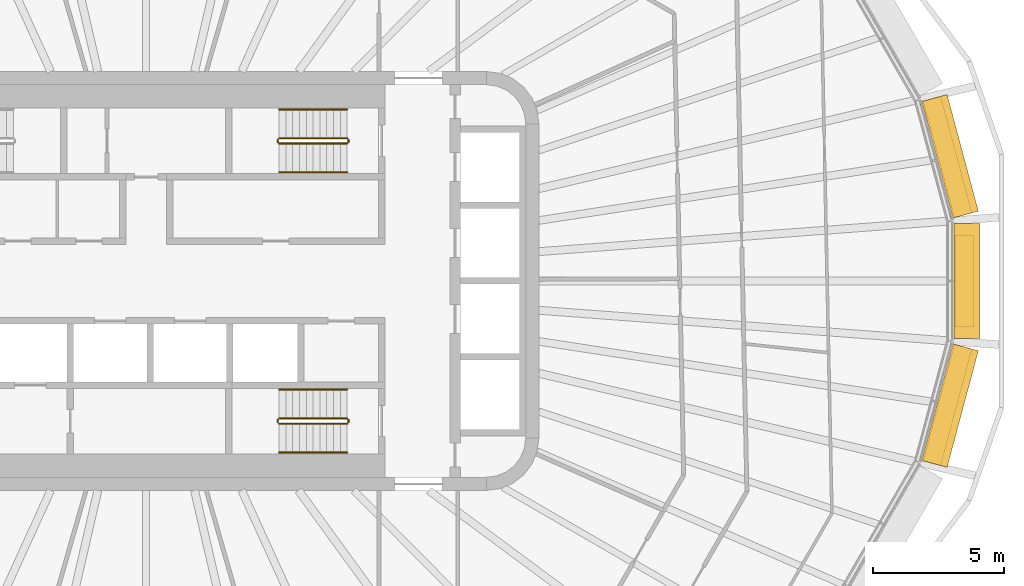
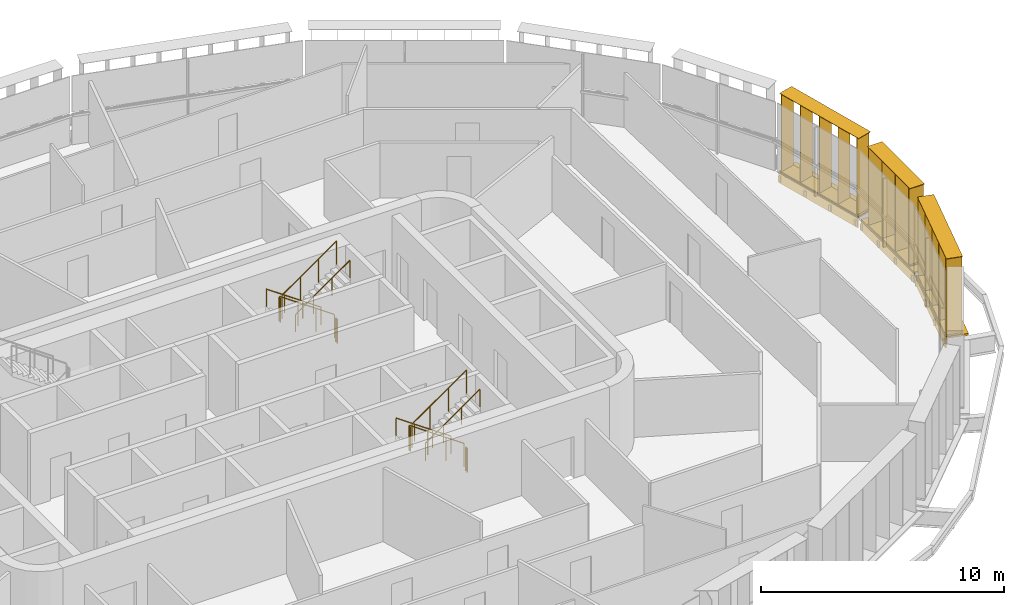
# One storey, part 20 of 21: 12 railings, 6 shading devices.
"""IFC4 building model written with IfcOpenShell, lengths in metres."""

import ifcopenshell
import ifcopenshell.guid

model = None  # the IFC model being written
_history = None  # IfcOwnerHistory: only IFC2X3 demands one
_inside = {}  # id of a spatial element -> (the spatial element, [elements in it])
_under = {}  # id of a project, library or spatial element -> (it, [spatial elements below it])
_declared = {}  # id of a project -> (the project, [libraries it declares])
_typed = {}  # id of a type object -> (the type object, [elements of that type])
_made_of = {}  # id of a material, layer set ... -> (it, [elements and type objects made of it])


def new_model(schema):
    """Start an empty IFC model of exactly this schema.

    Asked for "IFC4X3", IfcOpenShell would pick the latest addendum, in which some entities
    have other attributes; the version numbers below select the first issue.
    IFC2X3 requires an IfcOwnerHistory on every rooted entity: one is made here for all.
    """
    global model, _history
    if schema == "IFC4X3":
        model = ifcopenshell.file(schema_version=(4, 3, 0, 0))
    else:
        model = ifcopenshell.file(schema=schema)
    _inside.clear()
    _under.clear()
    _declared.clear()
    _typed.clear()
    _made_of.clear()
    _history = None
    if model.schema == "IFC2X3":
        org = make("IfcOrganization", Name="unknown")
        user = make(
            "IfcPersonAndOrganization",
            ThePerson=make("IfcPerson", FamilyName="unknown"),
            TheOrganization=org,
        )
        app = make(
            "IfcApplication",
            ApplicationDeveloper=org,
            Version="unknown",
            ApplicationFullName="unknown",
            ApplicationIdentifier="unknown",
        )
        _history = make(
            "IfcOwnerHistory",
            OwningUser=user,
            OwningApplication=app,
            ChangeAction="ADDED",
            CreationDate=0,
        )
    return model


def make(cls, **values):
    """One entity of the class cls with the attributes given. An attribute that is None is left unset."""
    return model.create_entity(
        cls, **{name: value for name, value in values.items() if value is not None}
    )


def rooted(cls, **values):
    """An entity with a GlobalId (a new one), such as an element, a storey or a relation."""
    return make(cls, GlobalId=ifcopenshell.guid.new(), OwnerHistory=_history, **values)


def si_unit(unit_type, name, prefix=None):
    """IfcSIUnit, for example si_unit("LENGTHUNIT", "METRE", prefix="MILLI")."""
    return make("IfcSIUnit", UnitType=unit_type, Prefix=prefix, Name=name)


def assignment(units):
    """IfcUnitAssignment: the units of a project."""
    return None if units is None else make("IfcUnitAssignment", Units=units)


def point(xyz):
    """IfcCartesianPoint."""
    return None if xyz is None else make("IfcCartesianPoint", Coordinates=xyz)


def direction(xyz):
    """IfcDirection."""
    return None if xyz is None else make("IfcDirection", DirectionRatios=xyz)


def frame(location, z_axis=None, x_axis=None):
    """IfcAxis2Placement3D, a coordinate frame: its origin and axes. An axis left out is left unset."""
    return make(
        "IfcAxis2Placement3D",
        Location=point(location),
        Axis=direction(z_axis),
        RefDirection=direction(x_axis),
    )


def frame_2d(location, x_axis=None):
    """IfcAxis2Placement2D, a coordinate frame in the plane: its origin and x axis."""
    return make(
        "IfcAxis2Placement2D", Location=point(location), RefDirection=direction(x_axis)
    )


def origin():
    """The frame at (0, 0, 0) with its axes left unset."""
    return frame((0.0, 0.0, 0.0))


def origin_2d():
    """The frame at (0, 0) in the plane with its x axis left unset."""
    return frame_2d((0.0, 0.0))


def place(relative_to, where):
    """IfcLocalPlacement: puts the frame where relative to a parent placement (None: the world)."""
    return make(
        "IfcLocalPlacement", PlacementRelTo=relative_to, RelativePlacement=where
    )


def context(
    kind, dimensions, precision=None, world=None, true_north=None, identifier=None
):
    """IfcGeometricRepresentationContext, for example the 3D "Model" context."""
    return make(
        "IfcGeometricRepresentationContext",
        ContextIdentifier=identifier,
        ContextType=kind,
        CoordinateSpaceDimension=dimensions,
        Precision=precision,
        WorldCoordinateSystem=world,
        TrueNorth=true_north,
    )


def subcontext(parent, identifier, kind, view, scale=None):
    """IfcGeometricRepresentationSubContext, for example "Body" below "Model"."""
    return make(
        "IfcGeometricRepresentationSubContext",
        ContextIdentifier=identifier,
        ContextType=kind,
        ParentContext=parent,
        TargetScale=scale,
        TargetView=view,
    )


def project(units=None, contexts=None):
    """IfcProject with its units and contexts."""
    return rooted(
        "IfcProject",
        Name="project",
        RepresentationContexts=contexts,
        UnitsInContext=assignment(units),
    )


def spatial(cls, under=None, at=None, **own):
    """A site, building, storey or space (cls), placed at a placement, below another one or the project."""
    s = rooted(cls, ObjectPlacement=at, **own)
    if under is not None:
        _under.setdefault(under.id(), (under, []))[1].append(s)
    return s


def profile(cls, at=None, kind="AREA", **sizes):
    """A parametric profile (cls). Its sizes go by their IFC names, for example OverallWidth=200.0."""
    return make(cls, ProfileType=kind, Position=at, **sizes)


def rectangle(**sizes):
    """IfcRectangleProfileDef."""
    return profile("IfcRectangleProfileDef", **sizes)


def circle(**sizes):
    """IfcCircleProfileDef."""
    return profile("IfcCircleProfileDef", **sizes)


def extrude(swept, where, along, depth):
    """IfcExtrudedAreaSolid: the profile swept, set in the frame where, extruded along a direction by depth."""
    return make(
        "IfcExtrudedAreaSolid",
        SweptArea=swept,
        Position=where,
        ExtrudedDirection=direction(along),
        Depth=depth,
    )


def shape(context_of_items, identifier, shape_type, items):
    """IfcShapeRepresentation: the items that make up one representation, for example the "Body"."""
    return make(
        "IfcShapeRepresentation",
        ContextOfItems=context_of_items,
        RepresentationIdentifier=identifier,
        RepresentationType=shape_type,
        Items=items,
    )


def material(Name=None, Category=None):
    """IfcMaterial."""
    return make("IfcMaterial", Name=Name, Category=Category)


def made_of(thing, what):
    """Note that an element or type object is made of a material, layer set ...; save() writes the relation."""
    if what is not None:
        _made_of.setdefault(what.id(), (what, []))[1].append(thing)
    return thing


def type_object(cls, material=None, **own):
    """A type object (cls), such as IfcWallType, which elements share."""
    return made_of(rooted(cls, **own), material)


def element(
    cls,
    number,
    at=None,
    inside=None,
    cuts=None,
    type_object=None,
    material=None,
    context=None,
    identifier="Body",
    shape_type=None,
    held_by="IfcProductDefinitionShape",
    body=None,
    shapes=None,
    **own,
):
    """One element of the class cls, such as IfcWall. Its Tag is "e" and its number.

    at: its placement. inside: the storey or other place that contains it. cuts: it is an
    opening in that element (IfcRelVoidsElement). A single representation is given by context,
    identifier, shape_type and body (its items); several are given by shapes. held_by: the class
    of the entity that holds the representations. save() writes the other relations.
    """
    e = rooted(cls, Tag="e%d" % number, ObjectPlacement=at, **own)
    if body is not None:
        shapes = [shape(context, identifier, shape_type, body)]
    if shapes is not None:
        e.Representation = make(held_by, Representations=shapes)
    if inside is not None:
        _inside.setdefault(inside.id(), (inside, []))[1].append(e)
    if cuts is not None:
        rooted(
            "IfcRelVoidsElement", RelatingBuildingElement=cuts, RelatedOpeningElement=e
        )
    if type_object is not None:
        _typed.setdefault(type_object.id(), (type_object, []))[1].append(e)
    return made_of(e, material)


def aggregate(whole, parts):
    """IfcRelAggregates: a whole, such as a stair, and the parts it consists of."""
    return rooted("IfcRelAggregates", RelatingObject=whole, RelatedObjects=parts)


def save(model, path):
    """Write the relations noted so far, then the file.

    IfcRelAggregates (storeys below a building ...), IfcRelContainedInSpatialStructure (elements
    in a storey), IfcRelDefinesByType, IfcRelAssociatesMaterial and IfcRelDeclares: one each for
    every whole, place, type object, material and project.
    """
    for whole, parts in _under.values():
        aggregate(whole, parts)
    for where, things in _inside.values():
        rooted(
            "IfcRelContainedInSpatialStructure",
            RelatedElements=things,
            RelatingStructure=where,
        )
    for kind, things in _typed.values():
        rooted("IfcRelDefinesByType", RelatedObjects=things, RelatingType=kind)
    for what, things in _made_of.values():
        rooted("IfcRelAssociatesMaterial", RelatedObjects=things, RelatingMaterial=what)
    for by, libraries in _declared.values():
        rooted("IfcRelDeclares", RelatingContext=by, RelatedDefinitions=libraries)
    model.write(path)


model = new_model("IFC4")

# Units and contexts
model_context = context("Model", 3, precision=1e-05, world=origin(), true_north=direction((0.0, 1.0)))
body_context = subcontext(model_context, "Body", "Model", "MODEL_VIEW")
ifc_project = project(units=[si_unit("LENGTHUNIT", "METRE"), si_unit("AREAUNIT", "SQUARE_METRE"), si_unit("VOLUMEUNIT", "CUBIC_METRE"), si_unit("PLANEANGLEUNIT", "RADIAN"), si_unit("MASSUNIT", "GRAM", prefix="KILO")], contexts=[model_context])

# Site, building, storey
site_placement = place(None, origin())
site = spatial("IfcSite", under=ifc_project, at=site_placement, CompositionType="ELEMENT")
building_placement = place(site_placement, origin())
building = spatial("IfcBuilding", under=site, at=building_placement, Name="Sahrelin Media Tower", CompositionType="ELEMENT")
storey_placement = place(building_placement, frame((0.0, 0.0, 193.60009765625)))
storey = spatial("IfcBuildingStorey", under=building, at=storey_placement, Name="L41", CompositionType="ELEMENT", Elevation=193.60009765625)

# Shading devices
ifc_material_1 = material(Name="Champagne anodised aluminium 6063-T6", Category="aluminium")
shading_device_type_1 = type_object("IfcShadingDeviceType", Name="Fin cassette", PredefinedType="USERDEFINED", material=ifc_material_1)
placement_1 = place(storey_placement, frame((30.827392578125, 0.0, 0.0), z_axis=(0.0, 0.0, 1.0), x_axis=(0.0, -1.0, 0.0)))
element("IfcShadingDevice", 1, at=placement_1, inside=storey, type_object=shading_device_type_1, Name="L41:FIN:L41-00", ObjectType="FIN", PredefinedType="USERDEFINED", context=body_context, shape_type="SweptSolid", body=[
    extrude(rectangle(XDim=3.5, YDim=0.699951171875, at=origin_2d()), frame((0.0, 0.419921875, 0.0)), (0.0, 0.0, 1.0), 0.02001953125),
    extrude(rectangle(XDim=3.5, YDim=0.699951171875, at=origin_2d()), frame((0.0, 0.419921875, 3.89990234375)), (0.0, 0.0, 1.0), 0.02001953125),
    extrude(rectangle(XDim=0.02001953125, YDim=0.699951171875, at=origin_2d()), frame((-1.64990234375, 0.419921875, 0.010009765625), z_axis=(0.0, 0.0, 1.0), x_axis=(1.0, 0.0, 0.0)), (0.0, 0.0, 1.0), 3.89990234375),
    extrude(rectangle(XDim=0.02001953125, YDim=0.699951171875, at=origin_2d()), frame((-0.550048828125, 0.419921875, 0.010009765625), z_axis=(0.0, 0.0, 1.0), x_axis=(1.0, 0.0, 0.0)), (0.0, 0.0, 1.0), 3.89990234375),
    extrude(rectangle(XDim=0.02001953125, YDim=0.699951171875, at=origin_2d()), frame((0.550048828125, 0.419921875, 0.010009765625), z_axis=(0.0, 0.0, 1.0), x_axis=(1.0, 0.0, 0.0)), (0.0, 0.0, 1.0), 3.89990234375),
    extrude(rectangle(XDim=0.02001953125, YDim=0.699951171875, at=origin_2d()), frame((1.64990234375, 0.419921875, 0.010009765625), z_axis=(0.0, 0.0, 1.0), x_axis=(1.0, 0.0, 0.0)), (0.0, 0.0, 1.0), 3.89990234375),
])
placement_2 = place(storey_placement, frame((30.2041015625, 4.627197265625, 0.0), z_axis=(0.0, 0.0, 1.0), x_axis=(0.258807731996, -0.965928857556, 0.0)))
element("IfcShadingDevice", 2, at=placement_2, inside=storey, type_object=shading_device_type_1, Name="L41:FIN:L41-01", ObjectType="FIN", PredefinedType="USERDEFINED", context=body_context, shape_type="SweptSolid", body=[
    extrude(rectangle(XDim=4.60009765625, YDim=0.699951171875, at=origin_2d()), frame((0.0, 0.419921875, 0.0)), (0.0, 0.0, 1.0), 0.02001953125),
    extrude(rectangle(XDim=4.60009765625, YDim=0.699951171875, at=origin_2d()), frame((0.0, 0.419921875, 3.89990234375)), (0.0, 0.0, 1.0), 0.02001953125),
    extrude(rectangle(XDim=0.02001953125, YDim=0.699951171875, at=origin_2d()), frame((-2.199951171875, 0.419921875, 0.010009765625), z_axis=(0.0, 0.0, 1.0), x_axis=(1.0, 0.0, 0.0)), (0.0, 0.0, 1.0), 3.89990234375),
    extrude(rectangle(XDim=0.02001953125, YDim=0.699951171875, at=origin_2d()), frame((-1.10009765625, 0.419921875, 0.010009765625), z_axis=(0.0, 0.0, 1.0), x_axis=(1.0, 0.0, 0.0)), (0.0, 0.0, 1.0), 3.89990234375),
    extrude(rectangle(XDim=0.02001953125, YDim=0.699951171875, at=origin_2d()), frame((0.0, 0.419921875, 0.010009765625), z_axis=(0.0, 0.0, 1.0), x_axis=(1.0, 0.0, 0.0)), (0.0, 0.0, 1.0), 3.89990234375),
    extrude(rectangle(XDim=0.02001953125, YDim=0.699951171875, at=origin_2d()), frame((1.10009765625, 0.419921875, 0.010009765625), z_axis=(0.0, 0.0, 1.0), x_axis=(1.0, 0.0, 0.0)), (0.0, 0.0, 1.0), 3.89990234375),
    extrude(rectangle(XDim=0.02001953125, YDim=0.699951171875, at=origin_2d()), frame((2.199951171875, 0.419921875, 0.010009765625), z_axis=(0.0, 0.0, 1.0), x_axis=(1.0, 0.0, 0.0)), (0.0, 0.0, 1.0), 3.89990234375),
])
placement_3 = place(storey_placement, frame((30.2041015625, -4.627197265625, 0.0), z_axis=(0.0, 0.0, 1.0), x_axis=(-0.258807731996, -0.965928857556, 0.0)))
element("IfcShadingDevice", 3, at=placement_3, inside=storey, type_object=shading_device_type_1, Name="L41:FIN:L41-23", ObjectType="FIN", PredefinedType="USERDEFINED", context=body_context, shape_type="SweptSolid", body=[
    extrude(rectangle(XDim=4.60009765625, YDim=0.699951171875, at=origin_2d()), frame((0.0, 0.419921875, 0.0)), (0.0, 0.0, 1.0), 0.02001953125),
    extrude(rectangle(XDim=4.60009765625, YDim=0.699951171875, at=origin_2d()), frame((0.0, 0.419921875, 3.89990234375)), (0.0, 0.0, 1.0), 0.02001953125),
    extrude(rectangle(XDim=0.02001953125, YDim=0.699951171875, at=origin_2d()), frame((-2.199951171875, 0.419921875, 0.010009765625), z_axis=(0.0, 0.0, 1.0), x_axis=(1.0, 0.0, 0.0)), (0.0, 0.0, 1.0), 3.89990234375),
    extrude(rectangle(XDim=0.02001953125, YDim=0.699951171875, at=origin_2d()), frame((-1.10009765625, 0.419921875, 0.010009765625), z_axis=(0.0, 0.0, 1.0), x_axis=(1.0, 0.0, 0.0)), (0.0, 0.0, 1.0), 3.89990234375),
    extrude(rectangle(XDim=0.02001953125, YDim=0.699951171875, at=origin_2d()), frame((0.0, 0.419921875, 0.010009765625), z_axis=(0.0, 0.0, 1.0), x_axis=(1.0, 0.0, 0.0)), (0.0, 0.0, 1.0), 3.89990234375),
    extrude(rectangle(XDim=0.02001953125, YDim=0.699951171875, at=origin_2d()), frame((1.10009765625, 0.419921875, 0.010009765625), z_axis=(0.0, 0.0, 1.0), x_axis=(1.0, 0.0, 0.0)), (0.0, 0.0, 1.0), 3.89990234375),
    extrude(rectangle(XDim=0.02001953125, YDim=0.699951171875, at=origin_2d()), frame((2.199951171875, 0.419921875, 0.010009765625), z_axis=(0.0, 0.0, 1.0), x_axis=(1.0, 0.0, 0.0)), (0.0, 0.0, 1.0), 3.89990234375),
])

# Railings
ifc_material_2 = material(Name="Steel S355", Category="steel")
railing_type_1 = type_object("IfcRailingType", Name="Stair guard 1200", PredefinedType="GUARDRAIL", material=ifc_material_2)
railing_1_placement = place(storey_placement, frame((7.675048828125, 5.449951171875, 0.181640625)))
element("IfcRailing", 4, at=railing_1_placement, inside=storey, type_object=railing_type_1, Name="L41 ST3 stair guard 1", PredefinedType="GUARDRAIL", context=body_context, shape_type="SweptSolid", body=[
    extrude(circle(Radius=0.02392578125, at=origin_2d()), frame((0.0, 0.0, 1.17578125), z_axis=(-0.819484887739, 0.0, 0.573100792852), x_axis=(0.0, -1.0, 0.0)), (0.0, 0.0, 1.0), 3.1728515625),
    extrude(circle(Radius=0.02099609375, at=origin_2d()), origin(), (0.0, 0.0, 1.0), 1.15185546875),
    extrude(circle(Radius=0.02099609375, at=origin_2d()), frame((-0.86669921875, 0.0, 0.606201171875)), (0.0, 0.0, 1.0), 1.15185546875),
    extrude(circle(Radius=0.02099609375, at=origin_2d()), frame((-1.7333984375, 0.0, 1.212158203125)), (0.0, 0.0, 1.0), 1.15185546875),
    extrude(circle(Radius=0.02099609375, at=origin_2d()), frame((-2.60009765625, 0.0, 1.818359375)), (0.0, 0.0, 1.0), 1.15185546875),
])
railing_2_placement = place(storey_placement, frame((5.02490234375, 5.39990234375, 2.0)))
element("IfcRailing", 5, at=railing_2_placement, inside=storey, type_object=railing_type_1, Name="L41 ST3 stair guard 2", PredefinedType="GUARDRAIL", context=body_context, shape_type="SweptSolid", body=[
    extrude(circle(Radius=0.02392578125, at=origin_2d()), frame((0.0, 0.0, 1.17578125), z_axis=(0.0, -1.0, 0.0), x_axis=(1.0, 0.0, 0.0)), (0.0, 0.0, 1.0), 0.099853515625),
    extrude(circle(Radius=0.02099609375, at=origin_2d()), origin(), (0.0, 0.0, 1.0), 1.15185546875),
    extrude(circle(Radius=0.02099609375, at=origin_2d()), frame((0.0, -0.099853515625, 0.0)), (0.0, 0.0, 1.0), 1.15185546875),
])
railing_3_placement = place(storey_placement, frame((5.074951171875, 5.25, 2.181640625)))
element("IfcRailing", 6, at=railing_3_placement, inside=storey, type_object=railing_type_1, Name="L41 ST3 stair guard 3", PredefinedType="GUARDRAIL", context=body_context, shape_type="SweptSolid", body=[
    extrude(circle(Radius=0.02392578125, at=origin_2d()), frame((0.0, 0.0, 1.17578125), z_axis=(0.819484887739, 0.0, 0.573100792852), x_axis=(0.0, 1.0, 0.0)), (0.0, 0.0, 1.0), 3.1728515625),
    extrude(circle(Radius=0.02099609375, at=origin_2d()), origin(), (0.0, 0.0, 1.0), 1.15185546875),
    extrude(circle(Radius=0.02099609375, at=origin_2d()), frame((0.86669921875, 0.0, 0.606201171875)), (0.0, 0.0, 1.0), 1.15185546875),
    extrude(circle(Radius=0.02099609375, at=origin_2d()), frame((1.7333984375, 0.0, 1.212158203125)), (0.0, 0.0, 1.0), 1.15185546875),
    extrude(circle(Radius=0.02099609375, at=origin_2d()), frame((2.60009765625, 0.0, 1.818359375)), (0.0, 0.0, 1.0), 1.15185546875),
])
railing_4_placement = place(storey_placement, frame((7.72509765625, 5.39990234375, 0.0)))
element("IfcRailing", 7, at=railing_4_placement, inside=storey, type_object=railing_type_1, Name="L41 ST3 stair guard 4", PredefinedType="GUARDRAIL", context=body_context, shape_type="SweptSolid", body=[
    extrude(circle(Radius=0.02392578125, at=origin_2d()), frame((0.0, 0.0, 1.17578125), z_axis=(0.0, -1.0, 0.0), x_axis=(1.0, 0.0, 0.0)), (0.0, 0.0, 1.0), 0.099853515625),
    extrude(circle(Radius=0.02099609375, at=origin_2d()), origin(), (0.0, 0.0, 1.0), 1.15185546875),
    extrude(circle(Radius=0.02099609375, at=origin_2d()), frame((0.0, -0.099853515625, 0.0)), (0.0, 0.0, 1.0), 1.15185546875),
])
railing_5_placement = place(storey_placement, frame((7.675048828125, -5.25, 0.181640625)))
element("IfcRailing", 8, at=railing_5_placement, inside=storey, type_object=railing_type_1, Name="L41 ST2 stair guard 1", PredefinedType="GUARDRAIL", context=body_context, shape_type="SweptSolid", body=[
    extrude(circle(Radius=0.02392578125, at=origin_2d()), frame((0.0, 0.0, 1.17578125), z_axis=(-0.819484887739, 0.0, 0.573100792852), x_axis=(0.0, -1.0, 0.0)), (0.0, 0.0, 1.0), 3.1728515625),
    extrude(circle(Radius=0.02099609375, at=origin_2d()), origin(), (0.0, 0.0, 1.0), 1.15185546875),
    extrude(circle(Radius=0.02099609375, at=origin_2d()), frame((-0.86669921875, 0.0, 0.606201171875)), (0.0, 0.0, 1.0), 1.15185546875),
    extrude(circle(Radius=0.02099609375, at=origin_2d()), frame((-1.7333984375, 0.0, 1.212158203125)), (0.0, 0.0, 1.0), 1.15185546875),
    extrude(circle(Radius=0.02099609375, at=origin_2d()), frame((-2.60009765625, 0.0, 1.818359375)), (0.0, 0.0, 1.0), 1.15185546875),
])
railing_6_placement = place(storey_placement, frame((5.02490234375, -5.300048828125, 2.0)))
element("IfcRailing", 9, at=railing_6_placement, inside=storey, type_object=railing_type_1, Name="L41 ST2 stair guard 2", PredefinedType="GUARDRAIL", context=body_context, shape_type="SweptSolid", body=[
    extrude(circle(Radius=0.02392578125, at=origin_2d()), frame((0.0, 0.0, 1.17578125), z_axis=(0.0, -1.0, 0.0), x_axis=(1.0, 0.0, 0.0)), (0.0, 0.0, 1.0), 0.099853515625),
    extrude(circle(Radius=0.02099609375, at=origin_2d()), origin(), (0.0, 0.0, 1.0), 1.15185546875),
    extrude(circle(Radius=0.02099609375, at=origin_2d()), frame((0.0, -0.099853515625, 0.0)), (0.0, 0.0, 1.0), 1.15185546875),
])
railing_7_placement = place(storey_placement, frame((5.074951171875, -5.449951171875, 2.181640625)))
element("IfcRailing", 10, at=railing_7_placement, inside=storey, type_object=railing_type_1, Name="L41 ST2 stair guard 3", PredefinedType="GUARDRAIL", context=body_context, shape_type="SweptSolid", body=[
    extrude(circle(Radius=0.02392578125, at=origin_2d()), frame((0.0, 0.0, 1.17578125), z_axis=(0.819484887739, 0.0, 0.573100792852), x_axis=(0.0, 1.0, 0.0)), (0.0, 0.0, 1.0), 3.1728515625),
    extrude(circle(Radius=0.02099609375, at=origin_2d()), origin(), (0.0, 0.0, 1.0), 1.15185546875),
    extrude(circle(Radius=0.02099609375, at=origin_2d()), frame((0.86669921875, 0.0, 0.606201171875)), (0.0, 0.0, 1.0), 1.15185546875),
    extrude(circle(Radius=0.02099609375, at=origin_2d()), frame((1.7333984375, 0.0, 1.212158203125)), (0.0, 0.0, 1.0), 1.15185546875),
    extrude(circle(Radius=0.02099609375, at=origin_2d()), frame((2.60009765625, 0.0, 1.818359375)), (0.0, 0.0, 1.0), 1.15185546875),
])
railing_8_placement = place(storey_placement, frame((7.72509765625, -5.300048828125, 0.0)))
element("IfcRailing", 11, at=railing_8_placement, inside=storey, type_object=railing_type_1, Name="L41 ST2 stair guard 4", PredefinedType="GUARDRAIL", context=body_context, shape_type="SweptSolid", body=[
    extrude(circle(Radius=0.02392578125, at=origin_2d()), frame((0.0, 0.0, 1.17578125), z_axis=(0.0, -1.0, 0.0), x_axis=(1.0, 0.0, 0.0)), (0.0, 0.0, 1.0), 0.099853515625),
    extrude(circle(Radius=0.02099609375, at=origin_2d()), origin(), (0.0, 0.0, 1.0), 1.15185546875),
    extrude(circle(Radius=0.02099609375, at=origin_2d()), frame((0.0, -0.099853515625, 0.0)), (0.0, 0.0, 1.0), 1.15185546875),
])
railing_type_2 = type_object("IfcRailingType", Name="Stair handrail 900", PredefinedType="HANDRAIL", material=ifc_material_2)
railing_9_placement = place(storey_placement, frame((7.675048828125, 6.550048828125, 0.181640625)))
element("IfcRailing", 12, at=railing_9_placement, inside=storey, type_object=railing_type_2, Name="L41 ST3 stair handrail 1", PredefinedType="HANDRAIL", context=body_context, shape_type="SweptSolid", body=[
    extrude(circle(Radius=0.02392578125, at=origin_2d()), frame((0.0, 0.0, 0.8759765625), z_axis=(-0.819484887739, 0.0, 0.573100792852), x_axis=(0.0, -1.0, 0.0)), (0.0, 0.0, 1.0), 3.1728515625),
    extrude(circle(Radius=0.02099609375, at=origin_2d()), origin(), (0.0, 0.0, 1.0), 0.851806640625),
    extrude(circle(Radius=0.02099609375, at=origin_2d()), frame((-0.86669921875, 0.0, 0.606201171875)), (0.0, 0.0, 1.0), 0.851806640625),
    extrude(circle(Radius=0.02099609375, at=origin_2d()), frame((-1.7333984375, 0.0, 1.212158203125)), (0.0, 0.0, 1.0), 0.851806640625),
    extrude(circle(Radius=0.02099609375, at=origin_2d()), frame((-2.60009765625, 0.0, 1.818359375)), (0.0, 0.0, 1.0), 0.851806640625),
])
railing_10_placement = place(storey_placement, frame((5.074951171875, 4.14990234375, 2.181640625)))
element("IfcRailing", 13, at=railing_10_placement, inside=storey, type_object=railing_type_2, Name="L41 ST3 stair handrail 2", PredefinedType="HANDRAIL", context=body_context, shape_type="SweptSolid", body=[
    extrude(circle(Radius=0.02392578125, at=origin_2d()), frame((0.0, 0.0, 0.8759765625), z_axis=(0.819484887739, 0.0, 0.573100792852), x_axis=(0.0, 1.0, 0.0)), (0.0, 0.0, 1.0), 3.1728515625),
    extrude(circle(Radius=0.02099609375, at=origin_2d()), origin(), (0.0, 0.0, 1.0), 0.851806640625),
    extrude(circle(Radius=0.02099609375, at=origin_2d()), frame((0.86669921875, 0.0, 0.606201171875)), (0.0, 0.0, 1.0), 0.851806640625),
    extrude(circle(Radius=0.02099609375, at=origin_2d()), frame((1.7333984375, 0.0, 1.212158203125)), (0.0, 0.0, 1.0), 0.851806640625),
    extrude(circle(Radius=0.02099609375, at=origin_2d()), frame((2.60009765625, 0.0, 1.818359375)), (0.0, 0.0, 1.0), 0.851806640625),
])
railing_11_placement = place(storey_placement, frame((7.675048828125, -4.14990234375, 0.181640625)))
element("IfcRailing", 14, at=railing_11_placement, inside=storey, type_object=railing_type_2, Name="L41 ST2 stair handrail 1", PredefinedType="HANDRAIL", context=body_context, shape_type="SweptSolid", body=[
    extrude(circle(Radius=0.02392578125, at=origin_2d()), frame((0.0, 0.0, 0.8759765625), z_axis=(-0.819484887739, 0.0, 0.573100792852), x_axis=(0.0, -1.0, 0.0)), (0.0, 0.0, 1.0), 3.1728515625),
    extrude(circle(Radius=0.02099609375, at=origin_2d()), origin(), (0.0, 0.0, 1.0), 0.851806640625),
    extrude(circle(Radius=0.02099609375, at=origin_2d()), frame((-0.86669921875, 0.0, 0.606201171875)), (0.0, 0.0, 1.0), 0.851806640625),
    extrude(circle(Radius=0.02099609375, at=origin_2d()), frame((-1.7333984375, 0.0, 1.212158203125)), (0.0, 0.0, 1.0), 0.851806640625),
    extrude(circle(Radius=0.02099609375, at=origin_2d()), frame((-2.60009765625, 0.0, 1.818359375)), (0.0, 0.0, 1.0), 0.851806640625),
])
railing_12_placement = place(storey_placement, frame((5.074951171875, -6.550048828125, 2.181640625)))
element("IfcRailing", 15, at=railing_12_placement, inside=storey, type_object=railing_type_2, Name="L41 ST2 stair handrail 2", PredefinedType="HANDRAIL", context=body_context, shape_type="SweptSolid", body=[
    extrude(circle(Radius=0.02392578125, at=origin_2d()), frame((0.0, 0.0, 0.8759765625), z_axis=(0.819484887739, 0.0, 0.573100792852), x_axis=(0.0, 1.0, 0.0)), (0.0, 0.0, 1.0), 3.1728515625),
    extrude(circle(Radius=0.02099609375, at=origin_2d()), origin(), (0.0, 0.0, 1.0), 0.851806640625),
    extrude(circle(Radius=0.02099609375, at=origin_2d()), frame((0.86669921875, 0.0, 0.606201171875)), (0.0, 0.0, 1.0), 0.851806640625),
    extrude(circle(Radius=0.02099609375, at=origin_2d()), frame((1.7333984375, 0.0, 1.212158203125)), (0.0, 0.0, 1.0), 0.851806640625),
    extrude(circle(Radius=0.02099609375, at=origin_2d()), frame((2.60009765625, 0.0, 1.818359375)), (0.0, 0.0, 1.0), 0.851806640625),
])

# Shading devices
shading_device_type_2 = type_object("IfcShadingDeviceType", Name="Sunshade band", PredefinedType="USERDEFINED", material=ifc_material_1)
element("IfcShadingDevice", 16, at=placement_1, inside=storey, type_object=shading_device_type_2, Name="L41:SUN:L41-00", ObjectType="SUNSHADE", PredefinedType="USERDEFINED", context=body_context, shape_type="SweptSolid", body=[
    extrude(rectangle(XDim=4.403564453125, YDim=0.050048828125, at=origin_2d()), frame((0.0, 0.044921875, -0.55126953125)), (0.0, 0.0, 1.0), 0.471435546875),
    extrude(rectangle(XDim=4.403564453125, YDim=1.0, at=origin_2d()), frame((0.0, 0.52001953125, -0.080078125)), (0.0, 0.0, 1.0), 0.080078125),
    extrude(rectangle(XDim=0.10009765625, YDim=0.074951171875, at=origin_2d()), frame((-2.101806640625, -0.017578125, -0.47021484375)), (0.0, 0.0, 1.0), 0.300048828125),
    extrude(rectangle(XDim=0.10009765625, YDim=0.074951171875, at=origin_2d()), frame((-0.70068359375, -0.017578125, -0.47021484375)), (0.0, 0.0, 1.0), 0.300048828125),
    extrude(rectangle(XDim=0.10009765625, YDim=0.074951171875, at=origin_2d()), frame((0.70068359375, -0.017578125, -0.47021484375)), (0.0, 0.0, 1.0), 0.300048828125),
    extrude(rectangle(XDim=0.10009765625, YDim=0.074951171875, at=origin_2d()), frame((2.101806640625, -0.017578125, -0.47021484375)), (0.0, 0.0, 1.0), 0.300048828125),
])
element("IfcShadingDevice", 17, at=placement_2, inside=storey, type_object=shading_device_type_2, Name="L41:SUN:L41-01", ObjectType="SUNSHADE", PredefinedType="USERDEFINED", context=body_context, shape_type="SweptSolid", body=[
    extrude(rectangle(XDim=4.61474609375, YDim=0.050048828125, at=origin_2d()), frame((0.0, 0.044921875, -0.55126953125)), (0.0, 0.0, 1.0), 0.471435546875),
    extrude(rectangle(XDim=4.61474609375, YDim=1.0, at=origin_2d()), frame((0.0, 0.52001953125, -0.080078125)), (0.0, 0.0, 1.0), 0.080078125),
    extrude(rectangle(XDim=0.10009765625, YDim=0.074951171875, at=origin_2d()), frame((-2.20751953125, -0.017578125, -0.47021484375)), (0.0, 0.0, 1.0), 0.300048828125),
    extrude(rectangle(XDim=0.10009765625, YDim=0.074951171875, at=origin_2d()), frame((-0.73583984375, -0.017578125, -0.47021484375)), (0.0, 0.0, 1.0), 0.300048828125),
    extrude(rectangle(XDim=0.10009765625, YDim=0.074951171875, at=origin_2d()), frame((0.73583984375, -0.017578125, -0.47021484375)), (0.0, 0.0, 1.0), 0.300048828125),
    extrude(rectangle(XDim=0.10009765625, YDim=0.074951171875, at=origin_2d()), frame((2.20751953125, -0.017578125, -0.47021484375)), (0.0, 0.0, 1.0), 0.300048828125),
])
element("IfcShadingDevice", 18, at=placement_3, inside=storey, type_object=shading_device_type_2, Name="L41:SUN:L41-23", ObjectType="SUNSHADE", PredefinedType="USERDEFINED", context=body_context, shape_type="SweptSolid", body=[
    extrude(rectangle(XDim=4.61474609375, YDim=0.050048828125, at=origin_2d()), frame((0.0, 0.044921875, -0.55126953125)), (0.0, 0.0, 1.0), 0.471435546875),
    extrude(rectangle(XDim=4.61474609375, YDim=1.0, at=origin_2d()), frame((0.0, 0.52001953125, -0.080078125)), (0.0, 0.0, 1.0), 0.080078125),
    extrude(rectangle(XDim=0.10009765625, YDim=0.074951171875, at=origin_2d()), frame((-2.20751953125, -0.017578125, -0.47021484375)), (0.0, 0.0, 1.0), 0.300048828125),
    extrude(rectangle(XDim=0.10009765625, YDim=0.074951171875, at=origin_2d()), frame((-0.73583984375, -0.017578125, -0.47021484375)), (0.0, 0.0, 1.0), 0.300048828125),
    extrude(rectangle(XDim=0.10009765625, YDim=0.074951171875, at=origin_2d()), frame((0.73583984375, -0.017578125, -0.47021484375)), (0.0, 0.0, 1.0), 0.300048828125),
    extrude(rectangle(XDim=0.10009765625, YDim=0.074951171875, at=origin_2d()), frame((2.20751953125, -0.017578125, -0.47021484375)), (0.0, 0.0, 1.0), 0.300048828125),
])

save(model, "model.ifc")
